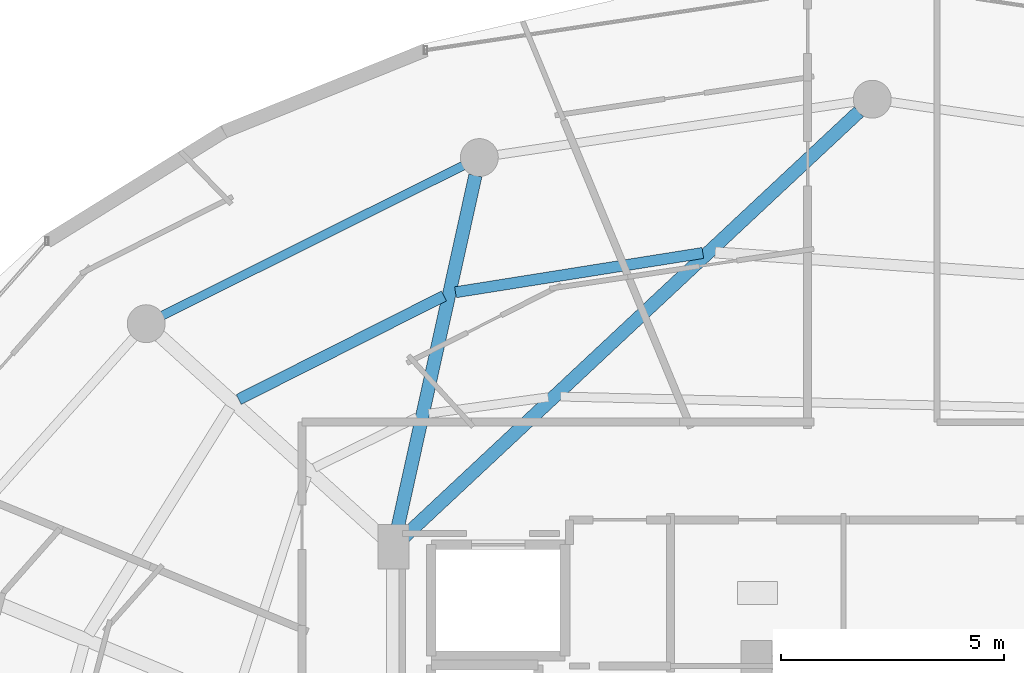
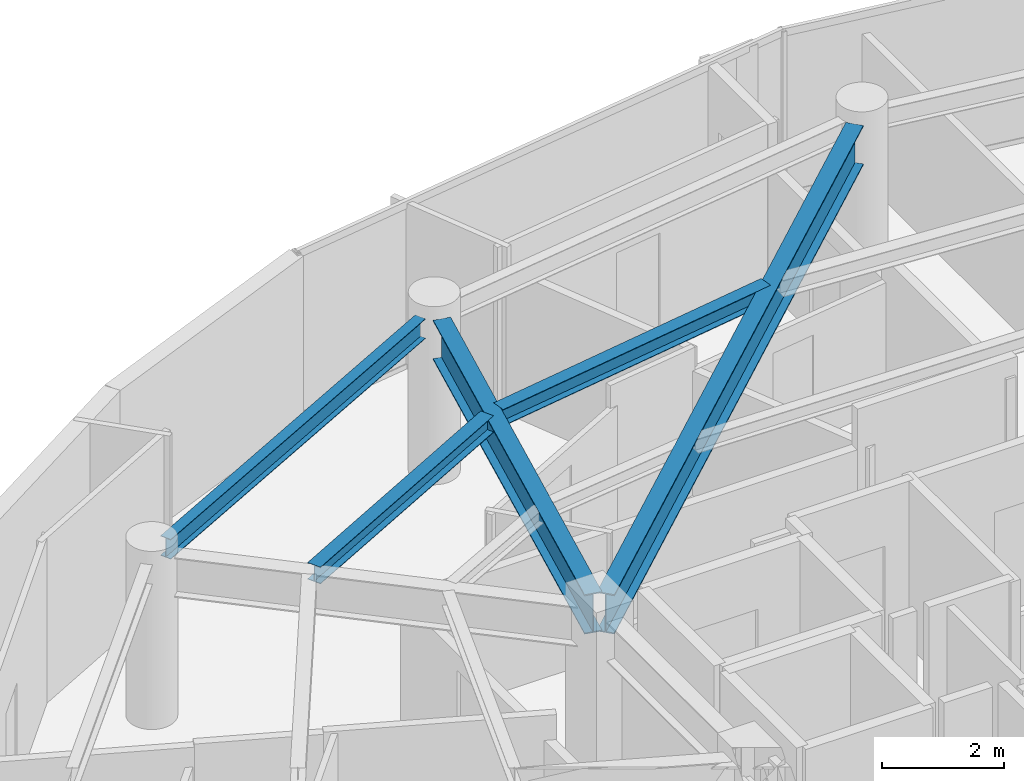
# One storey, part 18 of 32: 5 beams.
"""IFC4 building model written with IfcOpenShell, lengths in metres."""

from ifc_helpers import new_model, si_unit, direction, frame, origin, origin_2d, place, context, subcontext, project, spatial, i_section, extrude, material, material_profile, profile_set, type_object, element, save


model = new_model("IFC4")

# Units and contexts
model_context = context("Model", 3, precision=1e-05, world=origin(), true_north=direction((0.0, 1.0)))
body_context = subcontext(model_context, "Body", "Model", "MODEL_VIEW")
ifc_project = project(units=[si_unit("LENGTHUNIT", "METRE"), si_unit("AREAUNIT", "SQUARE_METRE"), si_unit("VOLUMEUNIT", "CUBIC_METRE"), si_unit("PLANEANGLEUNIT", "RADIAN"), si_unit("MASSUNIT", "GRAM", prefix="KILO")], contexts=[model_context])

# Site, building, storey
site_placement = place(None, origin())
site = spatial("IfcSite", under=ifc_project, at=site_placement, CompositionType="ELEMENT")
building_placement = place(site_placement, origin())
building = spatial("IfcBuilding", under=site, at=building_placement, Name="Vorneva Point Tower", CompositionType="ELEMENT")
storey_placement = place(building_placement, frame((0.0, 0.0, 269.75)))
storey = spatial("IfcBuildingStorey", under=building, at=storey_placement, Name="L73", CompositionType="ELEMENT", Elevation=269.75)

# Beams
ifc_material = material(Name="Steel S355", Category="steel")
ifc_material_profile_1 = material_profile(ifc_material, i_section(OverallWidth=0.300048828125, OverallDepth=0.7880859375, WebThickness=0.014404296875, FlangeThickness=0.02197265625, at=origin_2d()), Name="80Sh1")
ifc_profile_set_1 = profile_set([ifc_material_profile_1], Name="Steel S355")
beam_type_1 = type_object("IfcBeamType", Name="BM-GRD-80Sh1", PredefinedType="USERDEFINED", material=ifc_profile_set_1)
beam_1_placement = place(storey_placement, frame((37.6982421875, 42.91796875, 2.89599609375), z_axis=(-0.730485790946, -0.682927894602, 0.0), x_axis=(0.682927894602, -0.730485790946, 0.0)))
element("IfcBeam", 1, at=beam_1_placement, inside=storey, type_object=beam_type_1, Name="L73 Radial Primary Girder 05", ObjectType="GIRDER", PredefinedType="USERDEFINED", context=body_context, shape_type="SweptSolid", body=[
    extrude(i_section(OverallWidth=0.300048828125, OverallDepth=0.7880859375, WebThickness=0.014404296875, FlangeThickness=0.02197265625, at=origin_2d()), origin(), (0.0, 0.0, 1.0), 13.963134765625),
])
beam_2_placement = place(storey_placement, frame((29.090087890625, 41.4873046875, 2.89599609375), z_axis=(-0.215520742957, -0.976499262342, 0.0), x_axis=(0.976499262342, -0.215520742957, 0.0)))
element("IfcBeam", 2, at=beam_2_placement, inside=storey, type_object=beam_type_1, Name="L73 Radial Primary Girder 06", ObjectType="GIRDER", PredefinedType="USERDEFINED", context=body_context, shape_type="SweptSolid", body=[
    extrude(i_section(OverallWidth=0.300048828125, OverallDepth=0.7880859375, WebThickness=0.014404296875, FlangeThickness=0.02197265625, at=origin_2d()), origin(), (0.0, 0.0, 1.0), 8.197998046875),
])
ifc_material_profile_2 = material_profile(ifc_material, i_section(OverallWidth=0.2490234375, OverallDepth=0.333984375, WebThickness=0.008056640625, FlangeThickness=0.010986328125, at=origin_2d()), Name="35Sh1")
ifc_profile_set_2 = profile_set([ifc_material_profile_2], Name="Steel S355")
beam_type_2 = type_object("IfcBeamType", Name="BM-SEC-35Sh1", PredefinedType="BEAM", material=ifc_profile_set_2)
beam_3_placement = place(storey_placement, frame((34.196044921875, 39.74951171875, 3.123046875), z_axis=(-0.987609689716, -0.156930241762, 0.0), x_axis=(0.156930241762, -0.987609689716, 0.0)))
element("IfcBeam", 3, at=beam_3_placement, inside=storey, type_object=beam_type_2, Name="L73 Secondary Floor Beam 1.05", PredefinedType="BEAM", context=body_context, shape_type="SweptSolid", body=[
    extrude(i_section(OverallWidth=0.2490234375, OverallDepth=0.333984375, WebThickness=0.008056640625, FlangeThickness=0.010986328125, at=origin_2d()), origin(), (0.0, 0.0, 1.0), 5.622314453125),
])
beam_4_placement = place(storey_placement, frame((28.3837890625, 38.783447265625, 3.123046875), z_axis=(-0.892860048752, -0.450334246246, 0.0), x_axis=(0.450334246246, -0.892860048752, 0.0)))
element("IfcBeam", 4, at=beam_4_placement, inside=storey, type_object=beam_type_2, Name="L73 Secondary Floor Beam 1.06", PredefinedType="BEAM", context=body_context, shape_type="SweptSolid", body=[
    extrude(i_section(OverallWidth=0.2490234375, OverallDepth=0.333984375, WebThickness=0.008056640625, FlangeThickness=0.010986328125, at=origin_2d()), origin(), (0.0, 0.0, 1.0), 5.158935546875),
])
ifc_material_profile_3 = material_profile(ifc_material, i_section(OverallWidth=0.198974609375, OverallDepth=0.39599609375, WebThickness=0.007080078125, FlangeThickness=0.010986328125, at=origin_2d()), Name="40B1")
ifc_profile_set_3 = profile_set([ifc_material_profile_3], Name="Steel S355")
beam_type_3 = type_object("IfcBeamType", Name="BM-SPN-40B1", PredefinedType="SPANDREL", material=ifc_profile_set_3)
beam_5_placement = place(storey_placement, frame((28.812255859375, 41.707763671875, 3.092041015625), z_axis=(-0.894932011528, -0.446202526599, 0.0), x_axis=(0.446202526599, -0.894932011528, 0.0)))
element("IfcBeam", 5, at=beam_5_placement, inside=storey, type_object=beam_type_3, Name="L73 Perimeter Spandrel Ring Beam 06", PredefinedType="SPANDREL", context=body_context, shape_type="SweptSolid", body=[
    extrude(i_section(OverallWidth=0.198974609375, OverallDepth=0.39599609375, WebThickness=0.007080078125, FlangeThickness=0.010986328125, at=origin_2d()), origin(), (0.0, 0.0, 1.0), 7.535888671875),
])

save(model, "model.ifc")
